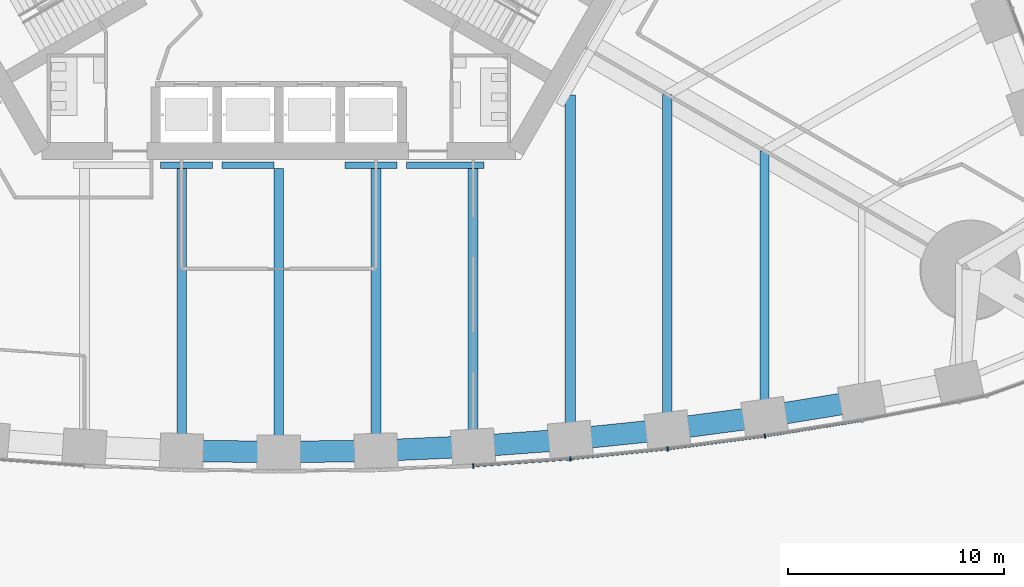
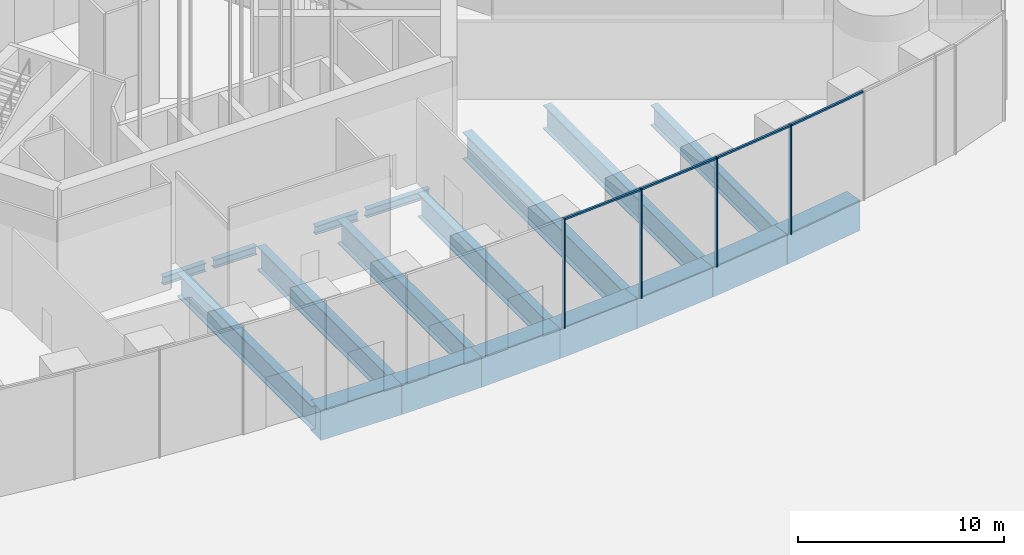
# One storey, part 5 of 43: 18 beams, 8 members, 1 element without a shape of its own.
"""IFC4 building model written with IfcOpenShell, lengths in metres."""

import ifcopenshell
import ifcopenshell.guid

model = None  # the IFC model being written
_history = None  # IfcOwnerHistory: only IFC2X3 demands one
_inside = {}  # id of a spatial element -> (the spatial element, [elements in it])
_under = {}  # id of a project, library or spatial element -> (it, [spatial elements below it])
_declared = {}  # id of a project -> (the project, [libraries it declares])
_typed = {}  # id of a type object -> (the type object, [elements of that type])
_made_of = {}  # id of a material, layer set ... -> (it, [elements and type objects made of it])


def new_model(schema):
    """Start an empty IFC model of exactly this schema.

    Asked for "IFC4X3", IfcOpenShell would pick the latest addendum, in which some entities
    have other attributes; the version numbers below select the first issue.
    IFC2X3 requires an IfcOwnerHistory on every rooted entity: one is made here for all.
    """
    global model, _history
    if schema == "IFC4X3":
        model = ifcopenshell.file(schema_version=(4, 3, 0, 0))
    else:
        model = ifcopenshell.file(schema=schema)
    _inside.clear()
    _under.clear()
    _declared.clear()
    _typed.clear()
    _made_of.clear()
    _history = None
    if model.schema == "IFC2X3":
        org = make("IfcOrganization", Name="unknown")
        user = make(
            "IfcPersonAndOrganization",
            ThePerson=make("IfcPerson", FamilyName="unknown"),
            TheOrganization=org,
        )
        app = make(
            "IfcApplication",
            ApplicationDeveloper=org,
            Version="unknown",
            ApplicationFullName="unknown",
            ApplicationIdentifier="unknown",
        )
        _history = make(
            "IfcOwnerHistory",
            OwningUser=user,
            OwningApplication=app,
            ChangeAction="ADDED",
            CreationDate=0,
        )
    return model


def make(cls, **values):
    """One entity of the class cls with the attributes given. An attribute that is None is left unset."""
    return model.create_entity(
        cls, **{name: value for name, value in values.items() if value is not None}
    )


def rooted(cls, **values):
    """An entity with a GlobalId (a new one), such as an element, a storey or a relation."""
    return make(cls, GlobalId=ifcopenshell.guid.new(), OwnerHistory=_history, **values)


def si_unit(unit_type, name, prefix=None):
    """IfcSIUnit, for example si_unit("LENGTHUNIT", "METRE", prefix="MILLI")."""
    return make("IfcSIUnit", UnitType=unit_type, Prefix=prefix, Name=name)


def assignment(units):
    """IfcUnitAssignment: the units of a project."""
    return None if units is None else make("IfcUnitAssignment", Units=units)


def point(xyz):
    """IfcCartesianPoint."""
    return None if xyz is None else make("IfcCartesianPoint", Coordinates=xyz)


def direction(xyz):
    """IfcDirection."""
    return None if xyz is None else make("IfcDirection", DirectionRatios=xyz)


def frame(location, z_axis=None, x_axis=None):
    """IfcAxis2Placement3D, a coordinate frame: its origin and axes. An axis left out is left unset."""
    return make(
        "IfcAxis2Placement3D",
        Location=point(location),
        Axis=direction(z_axis),
        RefDirection=direction(x_axis),
    )


def frame_2d(location, x_axis=None):
    """IfcAxis2Placement2D, a coordinate frame in the plane: its origin and x axis."""
    return make(
        "IfcAxis2Placement2D", Location=point(location), RefDirection=direction(x_axis)
    )


def origin():
    """The frame at (0, 0, 0) with its axes left unset."""
    return frame((0.0, 0.0, 0.0))


def origin_2d():
    """The frame at (0, 0) in the plane with its x axis left unset."""
    return frame_2d((0.0, 0.0))


def place(relative_to, where):
    """IfcLocalPlacement: puts the frame where relative to a parent placement (None: the world)."""
    return make(
        "IfcLocalPlacement", PlacementRelTo=relative_to, RelativePlacement=where
    )


def context(
    kind, dimensions, precision=None, world=None, true_north=None, identifier=None
):
    """IfcGeometricRepresentationContext, for example the 3D "Model" context."""
    return make(
        "IfcGeometricRepresentationContext",
        ContextIdentifier=identifier,
        ContextType=kind,
        CoordinateSpaceDimension=dimensions,
        Precision=precision,
        WorldCoordinateSystem=world,
        TrueNorth=true_north,
    )


def subcontext(parent, identifier, kind, view, scale=None):
    """IfcGeometricRepresentationSubContext, for example "Body" below "Model"."""
    return make(
        "IfcGeometricRepresentationSubContext",
        ContextIdentifier=identifier,
        ContextType=kind,
        ParentContext=parent,
        TargetScale=scale,
        TargetView=view,
    )


def project(units=None, contexts=None):
    """IfcProject with its units and contexts."""
    return rooted(
        "IfcProject",
        Name="project",
        RepresentationContexts=contexts,
        UnitsInContext=assignment(units),
    )


def spatial(cls, under=None, at=None, **own):
    """A site, building, storey or space (cls), placed at a placement, below another one or the project."""
    s = rooted(cls, ObjectPlacement=at, **own)
    if under is not None:
        _under.setdefault(under.id(), (under, []))[1].append(s)
    return s


def profile(cls, at=None, kind="AREA", **sizes):
    """A parametric profile (cls). Its sizes go by their IFC names, for example OverallWidth=200.0."""
    return make(cls, ProfileType=kind, Position=at, **sizes)


def rectangle(**sizes):
    """IfcRectangleProfileDef."""
    return profile("IfcRectangleProfileDef", **sizes)


def i_section(**sizes):
    """IfcIShapeProfileDef."""
    return profile("IfcIShapeProfileDef", **sizes)


def extrude(swept, where, along, depth):
    """IfcExtrudedAreaSolid: the profile swept, set in the frame where, extruded along a direction by depth."""
    return make(
        "IfcExtrudedAreaSolid",
        SweptArea=swept,
        Position=where,
        ExtrudedDirection=direction(along),
        Depth=depth,
    )


def shape(context_of_items, identifier, shape_type, items):
    """IfcShapeRepresentation: the items that make up one representation, for example the "Body"."""
    return make(
        "IfcShapeRepresentation",
        ContextOfItems=context_of_items,
        RepresentationIdentifier=identifier,
        RepresentationType=shape_type,
        Items=items,
    )


def material(Name=None, Category=None):
    """IfcMaterial."""
    return make("IfcMaterial", Name=Name, Category=Category)


def material_profile(
    of_material, cross_section, Name=None, Category=None, Priority=None
):
    """IfcMaterialProfile: a cross section and its material."""
    return make(
        "IfcMaterialProfile",
        Name=Name,
        Material=of_material,
        Profile=cross_section,
        Priority=Priority,
        Category=Category,
    )


def profile_set(profiles, Name=None, composite=None):
    """IfcMaterialProfileSet."""
    return make(
        "IfcMaterialProfileSet",
        Name=Name,
        MaterialProfiles=profiles,
        CompositeProfile=composite,
    )


def made_of(thing, what):
    """Note that an element or type object is made of a material, layer set ...; save() writes the relation."""
    if what is not None:
        _made_of.setdefault(what.id(), (what, []))[1].append(thing)
    return thing


def type_object(cls, material=None, **own):
    """A type object (cls), such as IfcWallType, which elements share."""
    return made_of(rooted(cls, **own), material)


def element(
    cls,
    number,
    at=None,
    inside=None,
    cuts=None,
    type_object=None,
    material=None,
    context=None,
    identifier="Body",
    shape_type=None,
    held_by="IfcProductDefinitionShape",
    body=None,
    shapes=None,
    **own,
):
    """One element of the class cls, such as IfcWall. Its Tag is "e" and its number.

    at: its placement. inside: the storey or other place that contains it. cuts: it is an
    opening in that element (IfcRelVoidsElement). A single representation is given by context,
    identifier, shape_type and body (its items); several are given by shapes. held_by: the class
    of the entity that holds the representations. save() writes the other relations.
    """
    e = rooted(cls, Tag="e%d" % number, ObjectPlacement=at, **own)
    if body is not None:
        shapes = [shape(context, identifier, shape_type, body)]
    if shapes is not None:
        e.Representation = make(held_by, Representations=shapes)
    if inside is not None:
        _inside.setdefault(inside.id(), (inside, []))[1].append(e)
    if cuts is not None:
        rooted(
            "IfcRelVoidsElement", RelatingBuildingElement=cuts, RelatedOpeningElement=e
        )
    if type_object is not None:
        _typed.setdefault(type_object.id(), (type_object, []))[1].append(e)
    return made_of(e, material)


def aggregate(whole, parts):
    """IfcRelAggregates: a whole, such as a stair, and the parts it consists of."""
    return rooted("IfcRelAggregates", RelatingObject=whole, RelatedObjects=parts)


def save(model, path):
    """Write the relations noted so far, then the file.

    IfcRelAggregates (storeys below a building ...), IfcRelContainedInSpatialStructure (elements
    in a storey), IfcRelDefinesByType, IfcRelAssociatesMaterial and IfcRelDeclares: one each for
    every whole, place, type object, material and project.
    """
    for whole, parts in _under.values():
        aggregate(whole, parts)
    for where, things in _inside.values():
        rooted(
            "IfcRelContainedInSpatialStructure",
            RelatedElements=things,
            RelatingStructure=where,
        )
    for kind, things in _typed.values():
        rooted("IfcRelDefinesByType", RelatedObjects=things, RelatingType=kind)
    for what, things in _made_of.values():
        rooted("IfcRelAssociatesMaterial", RelatedObjects=things, RelatingMaterial=what)
    for by, libraries in _declared.values():
        rooted("IfcRelDeclares", RelatingContext=by, RelatedDefinitions=libraries)
    model.write(path)


model = new_model("IFC4")

# Units and contexts
model_context = context("Model", 3, precision=1e-05, world=origin(), true_north=direction((0.0, 1.0)))
body_context = subcontext(model_context, "Body", "Model", "MODEL_VIEW")
ifc_project = project(units=[si_unit("LENGTHUNIT", "METRE"), si_unit("AREAUNIT", "SQUARE_METRE"), si_unit("VOLUMEUNIT", "CUBIC_METRE"), si_unit("PLANEANGLEUNIT", "RADIAN"), si_unit("MASSUNIT", "GRAM", prefix="KILO")], contexts=[model_context])

# Site, building, storey
site_placement = place(None, origin())
site = spatial("IfcSite", under=ifc_project, at=site_placement, CompositionType="ELEMENT")
building_placement = place(site_placement, origin())
building = spatial("IfcBuilding", under=site, at=building_placement, Name="Trefoil Bronze Tower", CompositionType="ELEMENT")
storey_placement = place(building_placement, origin())
storey = spatial("IfcBuildingStorey", under=building, at=storey_placement, Name="L00", CompositionType="ELEMENT", Elevation=0.0)

# Curtain wall, members
ifc_material_1 = material(Name="Tinted solar-control glass", Category="glass")
curtain_wall_type = type_object("IfcCurtainWallType", Name="Bronze podium storefront curtain wall", PredefinedType="USERDEFINED", material=ifc_material_1)
curtain_wall_placement = place(storey_placement, origin())
curtain_wall = element("IfcCurtainWall", 1, at=curtain_wall_placement, inside=storey, type_object=curtain_wall_type, Name="CW-C L00 F1 run 6", ObjectType="CURTAIN WALL", PredefinedType="USERDEFINED")
ifc_material_2 = material(Name="Bronze-finish aluminium", Category="aluminium")
ifc_material_profile_1 = material_profile(ifc_material_2, rectangle(XDim=0.199951171875, YDim=0.06005859375, at=origin_2d()), Name="CW-C mullion")
ifc_profile_set_1 = profile_set([ifc_material_profile_1], Name="Bronze-finish aluminium")
member_type_1 = type_object("IfcMemberType", Name="Bronze podium storefront curtain wall mullion", PredefinedType="MULLION", material=ifc_profile_set_1)
member_1_placement = place(storey_placement, frame((9.00732421875, -27.587158203125, 0.0), z_axis=(0.0, 0.0, 1.0), x_axis=(-0.072546564177, 0.99736502647, 0.0)))
member_1 = element("IfcMember", 2, at=member_1_placement, type_object=member_type_1, Name="CW-C L00 F1 run 6 mullion 1", PredefinedType="MULLION", context=body_context, shape_type="SweptSolid", body=[
    extrude(rectangle(XDim=0.199951171875, YDim=0.06005859375, at=origin_2d()), origin(), (0.0, 0.0, 1.0), 6.47998046875),
])
member_2_placement = place(storey_placement, frame((13.5087890625, -27.259765625, 0.0), z_axis=(0.0, 0.0, 1.0), x_axis=(-0.087065139456, 0.996202620701, 0.0)))
member_2 = element("IfcMember", 3, at=member_2_placement, type_object=member_type_1, Name="CW-C L00 F1 run 6 mullion 2", PredefinedType="MULLION", context=body_context, shape_type="SweptSolid", body=[
    extrude(rectangle(XDim=0.199951171875, YDim=0.06005859375, at=origin_2d()), origin(), (0.0, 0.0, 1.0), 6.47998046875),
])
member_3_placement = place(storey_placement, frame((18.01171875, -26.800048828125, 0.0), z_axis=(0.0, 0.0, 1.0), x_axis=(-0.116086999973, 0.993239048989, 0.0)))
member_3 = element("IfcMember", 4, at=member_3_placement, type_object=member_type_1, Name="CW-C L00 F1 run 6 mullion 3", PredefinedType="MULLION", context=body_context, shape_type="SweptSolid", body=[
    extrude(rectangle(XDim=0.199951171875, YDim=0.06005859375, at=origin_2d()), origin(), (0.0, 0.0, 1.0), 6.47998046875),
])
member_4_placement = place(storey_placement, frame((22.514404296875, -26.206787109375, 0.0), z_axis=(0.0, 0.0, 1.0), x_axis=(-0.145108990094, 0.989415676546, 0.0)))
member_4 = element("IfcMember", 5, at=member_4_placement, type_object=member_type_1, Name="CW-C L00 F1 run 6 mullion 4", PredefinedType="MULLION", context=body_context, shape_type="SweptSolid", body=[
    extrude(rectangle(XDim=0.199951171875, YDim=0.06005859375, at=origin_2d()), origin(), (0.0, 0.0, 1.0), 6.47998046875),
])
ifc_material_3 = material(Name="Bronze-finish aluminium", Category="aluminium")
ifc_material_profile_2 = material_profile(ifc_material_3, rectangle(XDim=0.1201171875, YDim=0.10009765625, at=origin_2d()), Name="CW-C transom")
ifc_profile_set_2 = profile_set([ifc_material_profile_2], Name="Bronze-finish aluminium")
member_type_2 = type_object("IfcMemberType", Name="Bronze podium storefront curtain wall transom", PredefinedType="USERDEFINED", material=ifc_profile_set_2)
member_5_placement = place(storey_placement, frame((9.037109375, -27.5849609375, 6.429931640625), z_axis=(0.997364590548, 0.072552556953, 0.0), x_axis=(-0.072552556953, 0.997364590548, 0.0)))
member_5 = element("IfcMember", 6, at=member_5_placement, type_object=member_type_2, Name="CW-C L00 F1 run 6 transom 1", ObjectType="TRANSOM", PredefinedType="USERDEFINED", context=body_context, shape_type="SweptSolid", body=[
    extrude(rectangle(XDim=0.1201171875, YDim=0.10009765625, at=origin_2d()), origin(), (0.0, 0.0, 1.0), 4.451904296875),
])
member_6_placement = place(storey_placement, frame((13.5400390625, -27.25634765625, 6.429931640625), z_axis=(0.994833127844, 0.101523631455, 0.0), x_axis=(-0.101523631455, 0.994833127844, 0.0)))
member_6 = element("IfcMember", 7, at=member_6_placement, type_object=member_type_2, Name="CW-C L00 F1 run 6 transom 2", ObjectType="TRANSOM", PredefinedType="USERDEFINED", context=body_context, shape_type="SweptSolid", body=[
    extrude(rectangle(XDim=0.1201171875, YDim=0.10009765625, at=origin_2d()), origin(), (0.0, 0.0, 1.0), 4.463134765625),
])
member_7_placement = place(storey_placement, frame((18.042724609375, -26.7958984375, 6.429931640625), z_axis=(0.991435175775, 0.130599740566, 0.0), x_axis=(-0.130599740566, 0.991435175775, 0.0)))
member_7 = element("IfcMember", 8, at=member_7_placement, type_object=member_type_2, Name="CW-C L00 F1 run 6 transom 3", ObjectType="TRANSOM", PredefinedType="USERDEFINED", context=body_context, shape_type="SweptSolid", body=[
    extrude(rectangle(XDim=0.1201171875, YDim=0.10009765625, at=origin_2d()), origin(), (0.0, 0.0, 1.0), 4.47900390625),
])
member_8_placement = place(storey_placement, frame((22.545654296875, -26.201904296875, 6.429931640625), z_axis=(0.987178845657, 0.159618065043, 0.0), x_axis=(-0.159618065043, 0.987178845657, 0.0)))
member_8 = element("IfcMember", 9, at=member_8_placement, type_object=member_type_2, Name="CW-C L00 F1 run 6 transom 4", ObjectType="TRANSOM", PredefinedType="USERDEFINED", context=body_context, shape_type="SweptSolid", body=[
    extrude(rectangle(XDim=0.1201171875, YDim=0.10009765625, at=origin_2d()), origin(), (0.0, 0.0, 1.0), 4.498291015625),
])
aggregate(curtain_wall, [member_1, member_2, member_3, member_4, member_5, member_6, member_7, member_8])

# Beams
ifc_material_4 = material(Name="Steel C355", Category="steel")
ifc_material_profile_3 = material_profile(ifc_material_4, i_section(OverallWidth=0.300048828125, OverallDepth=0.5, WebThickness=0.014404296875, FlangeThickness=0.028076171875, FilletRadius=0.027099609375, at=origin_2d()), Name="HEB 500")
ifc_profile_set_3 = profile_set([ifc_material_profile_3], Name="Steel C355")
beam_type_1 = type_object("IfcBeamType", Name="Core seat beam HEB 500", PredefinedType="BEAM", material=ifc_profile_set_3)
beam_1_placement = place(storey_placement, frame((-5.47509765625, -13.64990234375, -0.550048828125), z_axis=(1.0, 0.0, 0.0), x_axis=(0.0, 1.0, 0.0)))
element("IfcBeam", 10, at=beam_1_placement, inside=storey, type_object=beam_type_1, Name="Core seat beam F1/-1 L00", PredefinedType="BEAM", context=body_context, shape_type="SweptSolid", body=[
    extrude(i_section(OverallWidth=0.300048828125, OverallDepth=0.5, WebThickness=0.014404296875, FlangeThickness=0.028076171875, FilletRadius=0.027099609375, at=origin_2d()), origin(), (0.0, 0.0, 1.0), 2.400146484375),
])
beam_2_placement = place(storey_placement, frame((-2.625, -13.64990234375, -0.550048828125), z_axis=(1.0, 0.0, 0.0), x_axis=(0.0, 1.0, 0.0)))
element("IfcBeam", 11, at=beam_2_placement, inside=storey, type_object=beam_type_1, Name="Core seat beam F1/+0 L00", PredefinedType="BEAM", context=body_context, shape_type="SweptSolid", body=[
    extrude(i_section(OverallWidth=0.300048828125, OverallDepth=0.5, WebThickness=0.014404296875, FlangeThickness=0.028076171875, FilletRadius=0.027099609375, at=origin_2d()), origin(), (0.0, 0.0, 1.0), 2.39990234375),
])
beam_3_placement = place(storey_placement, frame((3.074951171875, -13.64990234375, -0.550048828125), z_axis=(1.0, 0.0, 0.0), x_axis=(0.0, 1.0, 0.0)))
element("IfcBeam", 12, at=beam_3_placement, inside=storey, type_object=beam_type_1, Name="Core seat beam F1/+1 L00", PredefinedType="BEAM", context=body_context, shape_type="SweptSolid", body=[
    extrude(i_section(OverallWidth=0.300048828125, OverallDepth=0.5, WebThickness=0.014404296875, FlangeThickness=0.028076171875, FilletRadius=0.027099609375, at=origin_2d()), origin(), (0.0, 0.0, 1.0), 2.400146484375),
])
beam_4_placement = place(storey_placement, frame((5.925048828125, -13.64990234375, -0.550048828125), z_axis=(1.0, 0.0, 0.0), x_axis=(0.0, 1.0, 0.0)))
element("IfcBeam", 13, at=beam_4_placement, inside=storey, type_object=beam_type_1, Name="Core seat beam F1/+2 L00", PredefinedType="BEAM", context=body_context, shape_type="SweptSolid", body=[
    extrude(i_section(OverallWidth=0.300048828125, OverallDepth=0.5, WebThickness=0.014404296875, FlangeThickness=0.028076171875, FilletRadius=0.027099609375, at=origin_2d()), origin(), (0.0, 0.0, 1.0), 3.574951171875),
])
ifc_material_5 = material(Name="Steel C355", Category="steel")
ifc_material_profile_4 = material_profile(ifc_material_5, i_section(OverallWidth=0.39990234375, OverallDepth=1.199951171875, WebThickness=0.02001953125, FlangeThickness=0.0400390625, FilletRadius=0.010009765625, at=origin_2d()), Name="WPG 1200")
ifc_profile_set_4 = profile_set([ifc_material_profile_4], Name="Steel C355")
beam_type_2 = type_object("IfcBeamType", Name="Floor beam WPG 1200", PredefinedType="BEAM", material=ifc_profile_set_4)
beam_5_placement = place(storey_placement, frame((22.5, -25.29931640625, -0.89990234375), z_axis=(0.0, 1.0, 0.0), x_axis=(-1.0, 0.0, 0.0)))
element("IfcBeam", 14, at=beam_5_placement, inside=storey, type_object=beam_type_2, Name="Floor beam F1/+5 L00", PredefinedType="BEAM", context=body_context, shape_type="SweptSolid", body=[
    extrude(i_section(OverallWidth=0.39990234375, OverallDepth=1.199951171875, WebThickness=0.02001953125, FlangeThickness=0.0400390625, FilletRadius=0.010009765625, at=origin_2d()), origin(), (0.0, 0.0, 1.0), 12.308837890625),
])
ifc_material_6 = material(Name="Steel C355", Category="steel")
ifc_material_profile_5 = material_profile(ifc_material_6, i_section(OverallWidth=0.449951171875, OverallDepth=1.39990234375, WebThickness=0.02294921875, FlangeThickness=0.044921875, FilletRadius=0.011962890625, at=origin_2d()), Name="WPG 1400")
ifc_profile_set_5 = profile_set([ifc_material_profile_5], Name="Steel C355")
beam_type_3 = type_object("IfcBeamType", Name="Floor beam WPG 1400", PredefinedType="BEAM", material=ifc_profile_set_5)
beam_6_placement = place(storey_placement, frame((-4.5, -26.883056640625, -1.0), z_axis=(0.0, 1.0, 0.0), x_axis=(-1.0, 0.0, 0.0)))
element("IfcBeam", 15, at=beam_6_placement, inside=storey, type_object=beam_type_3, Name="Floor beam F1/-1 L00", PredefinedType="BEAM", context=body_context, shape_type="SweptSolid", body=[
    extrude(i_section(OverallWidth=0.449951171875, OverallDepth=1.39990234375, WebThickness=0.02294921875, FlangeThickness=0.044921875, FilletRadius=0.011962890625, at=origin_2d()), origin(), (0.0, 0.0, 1.0), 13.0830078125),
])
beam_7_placement = place(storey_placement, frame((0.0, -26.94873046875, -1.0), z_axis=(0.0, 1.0, 0.0), x_axis=(-1.0, 0.0, 0.0)))
element("IfcBeam", 16, at=beam_7_placement, inside=storey, type_object=beam_type_3, Name="Floor beam F1/+0 L00", PredefinedType="BEAM", context=body_context, shape_type="SweptSolid", body=[
    extrude(i_section(OverallWidth=0.449951171875, OverallDepth=1.39990234375, WebThickness=0.02294921875, FlangeThickness=0.044921875, FilletRadius=0.011962890625, at=origin_2d()), origin(), (0.0, 0.0, 1.0), 13.148681640625),
])
beam_8_placement = place(storey_placement, frame((4.5, -26.883056640625, -1.0), z_axis=(0.0, 1.0, 0.0), x_axis=(-1.0, 0.0, 0.0)))
element("IfcBeam", 17, at=beam_8_placement, inside=storey, type_object=beam_type_3, Name="Floor beam F1/+1 L00", PredefinedType="BEAM", context=body_context, shape_type="SweptSolid", body=[
    extrude(i_section(OverallWidth=0.449951171875, OverallDepth=1.39990234375, WebThickness=0.02294921875, FlangeThickness=0.044921875, FilletRadius=0.011962890625, at=origin_2d()), origin(), (0.0, 0.0, 1.0), 13.0830078125),
])
beam_9_placement = place(storey_placement, frame((9.0, -26.68603515625, -1.0), z_axis=(0.0, 1.0, 0.0), x_axis=(-1.0, 0.0, 0.0)))
element("IfcBeam", 18, at=beam_9_placement, inside=storey, type_object=beam_type_3, Name="Floor beam F1/+2 L00", PredefinedType="BEAM", context=body_context, shape_type="SweptSolid", body=[
    extrude(i_section(OverallWidth=0.449951171875, OverallDepth=1.39990234375, WebThickness=0.02294921875, FlangeThickness=0.044921875, FilletRadius=0.011962890625, at=origin_2d()), origin(), (0.0, 0.0, 1.0), 12.885986328125),
])
beam_10_placement = place(storey_placement, frame((18.0, -25.895263671875, -1.0), z_axis=(0.0, 1.0, 0.0), x_axis=(-1.0, 0.0, 0.0)))
element("IfcBeam", 19, at=beam_10_placement, inside=storey, type_object=beam_type_3, Name="Floor beam F1/+4 L00", PredefinedType="BEAM", context=body_context, shape_type="SweptSolid", body=[
    extrude(i_section(OverallWidth=0.449951171875, OverallDepth=1.39990234375, WebThickness=0.02294921875, FlangeThickness=0.044921875, FilletRadius=0.011962890625, at=origin_2d()), origin(), (0.0, 0.0, 1.0), 15.5029296875),
])
ifc_material_7 = material(Name="Steel C355", Category="steel")
ifc_material_profile_6 = material_profile(ifc_material_7, i_section(OverallWidth=0.5, OverallDepth=1.60009765625, WebThickness=0.02587890625, FlangeThickness=0.050048828125, FilletRadius=0.011962890625, at=origin_2d()), Name="WPG 1600")
ifc_profile_set_6 = profile_set([ifc_material_profile_6], Name="Steel C355")
beam_type_4 = type_object("IfcBeamType", Name="Floor beam WPG 1600", PredefinedType="BEAM", material=ifc_profile_set_6)
beam_11_placement = place(storey_placement, frame((13.5, -26.35693359375, -1.10009765625), z_axis=(0.0, 1.0, 0.0), x_axis=(-1.0, 0.0, 0.0)))
element("IfcBeam", 20, at=beam_11_placement, inside=storey, type_object=beam_type_4, Name="Floor beam F1/+3 L00", PredefinedType="BEAM", context=body_context, shape_type="SweptSolid", body=[
    extrude(i_section(OverallWidth=0.5, OverallDepth=1.60009765625, WebThickness=0.02587890625, FlangeThickness=0.050048828125, FilletRadius=0.011962890625, at=origin_2d()), origin(), (0.0, 0.0, 1.0), 15.939697265625),
])
ifc_material_8 = material(Name="Concrete B80", Category="concrete")
ifc_material_profile_7 = material_profile(ifc_material_8, rectangle(XDim=1.0, YDim=1.800048828125, at=origin_2d()), Name="RC 1000x1800")
ifc_profile_set_7 = profile_set([ifc_material_profile_7], Name="Concrete B80")
beam_type_5 = type_object("IfcBeamType", Name="Spandrel beam RC 1000x1800", PredefinedType="SPANDREL", material=ifc_profile_set_7)
for number, where, z_axis, x_axis, name in (
    (21, (-4.5, -26.883056640625, -1.199951171875), (0.999893521905, -0.014592630067, 0.0), (0.014592630067, 0.999893521905, 0.0), "Spandrel F1.8 L00"),
    (22, (0.0, -26.94873046875, -1.199951171875), (0.999893521905, 0.014592630067, 0.0), (-0.014592630067, 0.999893521905, 0.0), "Spandrel F1.9 L00"),
):
    element("IfcBeam", number, at=place(storey_placement, frame(where, z_axis=z_axis, x_axis=x_axis)), inside=storey, type_object=beam_type_5, Name=name, PredefinedType="SPANDREL", context=body_context, shape_type="SweptSolid", body=[
        extrude(rectangle(XDim=1.0, YDim=1.800048828125, at=origin_2d()), origin(), (0.0, 0.0, 1.0), 4.50048828125),
    ])
beam_12_placement = place(storey_placement, frame((4.5, -26.883056640625, -1.199951171875), z_axis=(0.999042919826, 0.043740648671, 0.0), x_axis=(-0.043740648671, 0.999042919826, 0.0)))
element("IfcBeam", 23, at=beam_12_placement, inside=storey, type_object=beam_type_5, Name="Spandrel F1.10 L00", PredefinedType="SPANDREL", context=body_context, shape_type="SweptSolid", body=[
    extrude(rectangle(XDim=1.0, YDim=1.800048828125, at=origin_2d()), origin(), (0.0, 0.0, 1.0), 4.50439453125),
])
beam_13_placement = place(storey_placement, frame((9.0, -26.68603515625, -1.199951171875), z_axis=(0.997336412354, 0.072938882588, 0.0), x_axis=(-0.072938882588, 0.997336412354, 0.0)))
element("IfcBeam", 24, at=beam_13_placement, inside=storey, type_object=beam_type_5, Name="Spandrel F1.11 L00", PredefinedType="SPANDREL", context=body_context, shape_type="SweptSolid", body=[
    extrude(rectangle(XDim=1.0, YDim=1.800048828125, at=origin_2d()), origin(), (0.0, 0.0, 1.0), 4.511962890625),
])
beam_14_placement = place(storey_placement, frame((13.5, -26.35693359375, -1.199951171875), z_axis=(0.994778488621, 0.102057623805, 0.0), x_axis=(-0.102057623805, 0.994778488621, 0.0)))
element("IfcBeam", 25, at=beam_14_placement, inside=storey, type_object=beam_type_5, Name="Spandrel F1.12 L00", PredefinedType="SPANDREL", context=body_context, shape_type="SweptSolid", body=[
    extrude(rectangle(XDim=1.0, YDim=1.800048828125, at=origin_2d()), origin(), (0.0, 0.0, 1.0), 4.523681640625),
])
beam_15_placement = place(storey_placement, frame((18.0, -25.895263671875, -1.199951171875), z_axis=(0.991344474846, 0.131286450906, 0.0), x_axis=(-0.131286450906, 0.991344474846, 0.0)))
element("IfcBeam", 26, at=beam_15_placement, inside=storey, type_object=beam_type_5, Name="Spandrel F1.13 L00", PredefinedType="SPANDREL", context=body_context, shape_type="SweptSolid", body=[
    extrude(rectangle(XDim=1.0, YDim=1.800048828125, at=origin_2d()), origin(), (0.0, 0.0, 1.0), 4.539306640625),
])
beam_16_placement = place(storey_placement, frame((22.5, -25.29931640625, -1.199951171875), z_axis=(0.987045951254, 0.160437807615, 0.0), x_axis=(-0.160437807615, 0.987045951254, 0.0)))
element("IfcBeam", 27, at=beam_16_placement, inside=storey, type_object=beam_type_5, Name="Spandrel F1.14 L00", PredefinedType="SPANDREL", context=body_context, shape_type="SweptSolid", body=[
    extrude(rectangle(XDim=1.0, YDim=1.800048828125, at=origin_2d()), origin(), (0.0, 0.0, 1.0), 4.55908203125),
])

save(model, "model.ifc")
